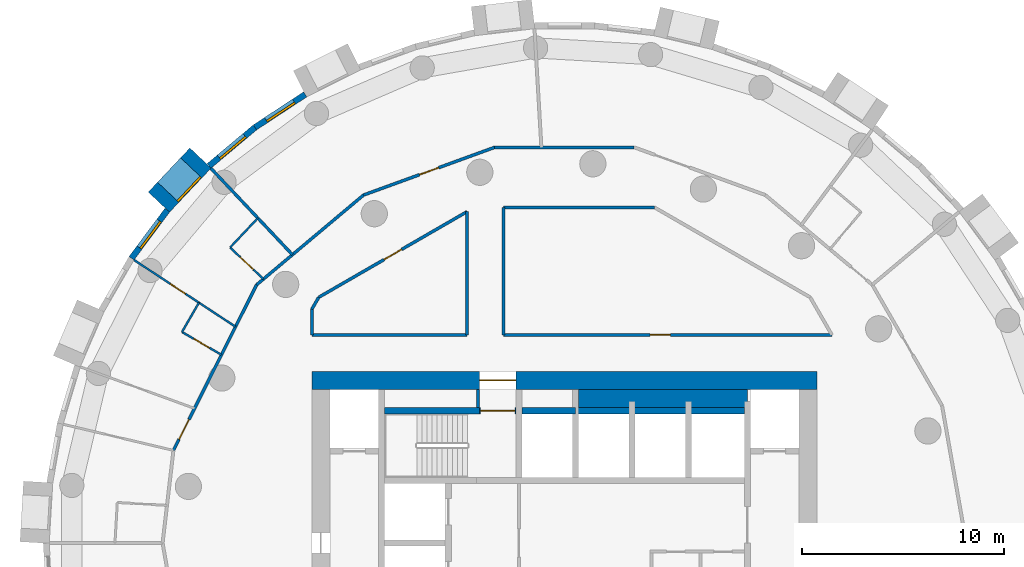
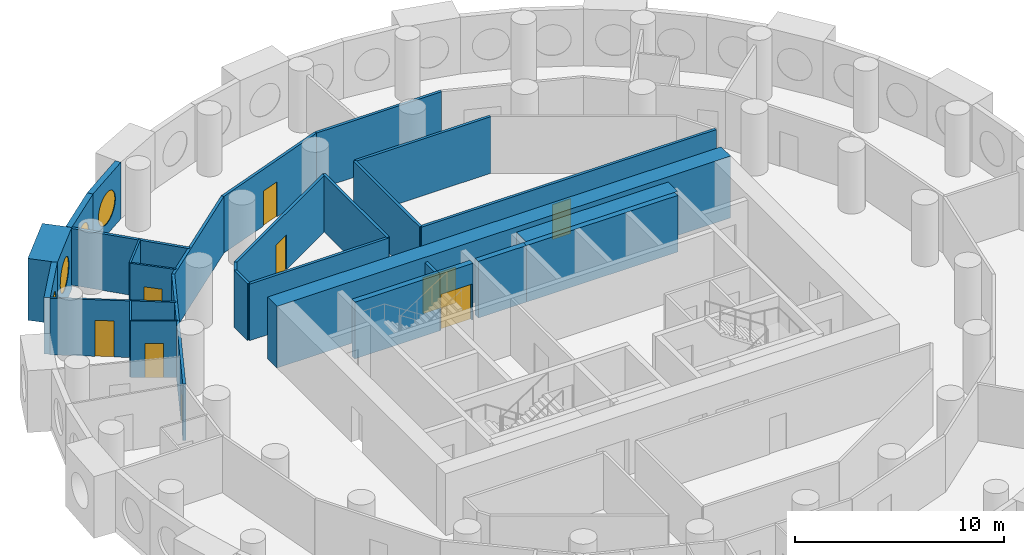
# One storey, part 6 of 9: 30 walls, 9 doors, 4 windows, 13 openings.
"""IFC4 building model written with IfcOpenShell, lengths in metres."""

import ifcopenshell
import ifcopenshell.guid

model = None  # the IFC model being written
_history = None  # IfcOwnerHistory: only IFC2X3 demands one
_inside = {}  # id of a spatial element -> (the spatial element, [elements in it])
_under = {}  # id of a project, library or spatial element -> (it, [spatial elements below it])
_declared = {}  # id of a project -> (the project, [libraries it declares])
_typed = {}  # id of a type object -> (the type object, [elements of that type])
_made_of = {}  # id of a material, layer set ... -> (it, [elements and type objects made of it])


def new_model(schema):
    """Start an empty IFC model of exactly this schema.

    Asked for "IFC4X3", IfcOpenShell would pick the latest addendum, in which some entities
    have other attributes; the version numbers below select the first issue.
    IFC2X3 requires an IfcOwnerHistory on every rooted entity: one is made here for all.
    """
    global model, _history
    if schema == "IFC4X3":
        model = ifcopenshell.file(schema_version=(4, 3, 0, 0))
    else:
        model = ifcopenshell.file(schema=schema)
    _inside.clear()
    _under.clear()
    _declared.clear()
    _typed.clear()
    _made_of.clear()
    _history = None
    if model.schema == "IFC2X3":
        org = make("IfcOrganization", Name="unknown")
        user = make(
            "IfcPersonAndOrganization",
            ThePerson=make("IfcPerson", FamilyName="unknown"),
            TheOrganization=org,
        )
        app = make(
            "IfcApplication",
            ApplicationDeveloper=org,
            Version="unknown",
            ApplicationFullName="unknown",
            ApplicationIdentifier="unknown",
        )
        _history = make(
            "IfcOwnerHistory",
            OwningUser=user,
            OwningApplication=app,
            ChangeAction="ADDED",
            CreationDate=0,
        )
    return model


def make(cls, **values):
    """One entity of the class cls with the attributes given. An attribute that is None is left unset."""
    return model.create_entity(
        cls, **{name: value for name, value in values.items() if value is not None}
    )


def rooted(cls, **values):
    """An entity with a GlobalId (a new one), such as an element, a storey or a relation."""
    return make(cls, GlobalId=ifcopenshell.guid.new(), OwnerHistory=_history, **values)


def si_unit(unit_type, name, prefix=None):
    """IfcSIUnit, for example si_unit("LENGTHUNIT", "METRE", prefix="MILLI")."""
    return make("IfcSIUnit", UnitType=unit_type, Prefix=prefix, Name=name)


def assignment(units):
    """IfcUnitAssignment: the units of a project."""
    return None if units is None else make("IfcUnitAssignment", Units=units)


def point(xyz):
    """IfcCartesianPoint."""
    return None if xyz is None else make("IfcCartesianPoint", Coordinates=xyz)


def direction(xyz):
    """IfcDirection."""
    return None if xyz is None else make("IfcDirection", DirectionRatios=xyz)


def frame(location, z_axis=None, x_axis=None):
    """IfcAxis2Placement3D, a coordinate frame: its origin and axes. An axis left out is left unset."""
    return make(
        "IfcAxis2Placement3D",
        Location=point(location),
        Axis=direction(z_axis),
        RefDirection=direction(x_axis),
    )


def frame_2d(location, x_axis=None):
    """IfcAxis2Placement2D, a coordinate frame in the plane: its origin and x axis."""
    return make(
        "IfcAxis2Placement2D", Location=point(location), RefDirection=direction(x_axis)
    )


def origin():
    """The frame at (0, 0, 0) with its axes left unset."""
    return frame((0.0, 0.0, 0.0))


def origin_2d():
    """The frame at (0, 0) in the plane with its x axis left unset."""
    return frame_2d((0.0, 0.0))


def place(relative_to, where):
    """IfcLocalPlacement: puts the frame where relative to a parent placement (None: the world)."""
    return make(
        "IfcLocalPlacement", PlacementRelTo=relative_to, RelativePlacement=where
    )


def context(
    kind, dimensions, precision=None, world=None, true_north=None, identifier=None
):
    """IfcGeometricRepresentationContext, for example the 3D "Model" context."""
    return make(
        "IfcGeometricRepresentationContext",
        ContextIdentifier=identifier,
        ContextType=kind,
        CoordinateSpaceDimension=dimensions,
        Precision=precision,
        WorldCoordinateSystem=world,
        TrueNorth=true_north,
    )


def subcontext(parent, identifier, kind, view, scale=None):
    """IfcGeometricRepresentationSubContext, for example "Body" below "Model"."""
    return make(
        "IfcGeometricRepresentationSubContext",
        ContextIdentifier=identifier,
        ContextType=kind,
        ParentContext=parent,
        TargetScale=scale,
        TargetView=view,
    )


def project(units=None, contexts=None):
    """IfcProject with its units and contexts."""
    return rooted(
        "IfcProject",
        Name="project",
        RepresentationContexts=contexts,
        UnitsInContext=assignment(units),
    )


def spatial(cls, under=None, at=None, **own):
    """A site, building, storey or space (cls), placed at a placement, below another one or the project."""
    s = rooted(cls, ObjectPlacement=at, **own)
    if under is not None:
        _under.setdefault(under.id(), (under, []))[1].append(s)
    return s


def profile(cls, at=None, kind="AREA", **sizes):
    """A parametric profile (cls). Its sizes go by their IFC names, for example OverallWidth=200.0."""
    return make(cls, ProfileType=kind, Position=at, **sizes)


def rectangle(**sizes):
    """IfcRectangleProfileDef."""
    return profile("IfcRectangleProfileDef", **sizes)


def circle(**sizes):
    """IfcCircleProfileDef."""
    return profile("IfcCircleProfileDef", **sizes)


def extrude(swept, where, along, depth):
    """IfcExtrudedAreaSolid: the profile swept, set in the frame where, extruded along a direction by depth."""
    return make(
        "IfcExtrudedAreaSolid",
        SweptArea=swept,
        Position=where,
        ExtrudedDirection=direction(along),
        Depth=depth,
    )


def shape(context_of_items, identifier, shape_type, items):
    """IfcShapeRepresentation: the items that make up one representation, for example the "Body"."""
    return make(
        "IfcShapeRepresentation",
        ContextOfItems=context_of_items,
        RepresentationIdentifier=identifier,
        RepresentationType=shape_type,
        Items=items,
    )


def material(Name=None, Category=None):
    """IfcMaterial."""
    return make("IfcMaterial", Name=Name, Category=Category)


def layer(
    of_material, thickness, ventilated=None, Name=None, Category=None, Priority=None
):
    """IfcMaterialLayer: one layer of a wall or slab, of a material (None: an air gap)."""
    return make(
        "IfcMaterialLayer",
        Material=of_material,
        LayerThickness=thickness,
        IsVentilated=ventilated,
        Name=Name,
        Category=Category,
        Priority=Priority,
    )


def layer_set(layers, Name=None):
    """IfcMaterialLayerSet."""
    return make("IfcMaterialLayerSet", MaterialLayers=layers, LayerSetName=Name)


def made_of(thing, what):
    """Note that an element or type object is made of a material, layer set ...; save() writes the relation."""
    if what is not None:
        _made_of.setdefault(what.id(), (what, []))[1].append(thing)
    return thing


def type_object(cls, material=None, **own):
    """A type object (cls), such as IfcWallType, which elements share."""
    return made_of(rooted(cls, **own), material)


def element(
    cls,
    number,
    at=None,
    inside=None,
    cuts=None,
    type_object=None,
    material=None,
    context=None,
    identifier="Body",
    shape_type=None,
    held_by="IfcProductDefinitionShape",
    body=None,
    shapes=None,
    **own,
):
    """One element of the class cls, such as IfcWall. Its Tag is "e" and its number.

    at: its placement. inside: the storey or other place that contains it. cuts: it is an
    opening in that element (IfcRelVoidsElement). A single representation is given by context,
    identifier, shape_type and body (its items); several are given by shapes. held_by: the class
    of the entity that holds the representations. save() writes the other relations.
    """
    e = rooted(cls, Tag="e%d" % number, ObjectPlacement=at, **own)
    if body is not None:
        shapes = [shape(context, identifier, shape_type, body)]
    if shapes is not None:
        e.Representation = make(held_by, Representations=shapes)
    if inside is not None:
        _inside.setdefault(inside.id(), (inside, []))[1].append(e)
    if cuts is not None:
        rooted(
            "IfcRelVoidsElement", RelatingBuildingElement=cuts, RelatedOpeningElement=e
        )
    if type_object is not None:
        _typed.setdefault(type_object.id(), (type_object, []))[1].append(e)
    return made_of(e, material)


def fill(opening, filler):
    """IfcRelFillsElement: the door or window that sits in an opening."""
    return rooted(
        "IfcRelFillsElement",
        RelatingOpeningElement=opening,
        RelatedBuildingElement=filler,
    )


def aggregate(whole, parts):
    """IfcRelAggregates: a whole, such as a stair, and the parts it consists of."""
    return rooted("IfcRelAggregates", RelatingObject=whole, RelatedObjects=parts)


def save(model, path):
    """Write the relations noted so far, then the file.

    IfcRelAggregates (storeys below a building ...), IfcRelContainedInSpatialStructure (elements
    in a storey), IfcRelDefinesByType, IfcRelAssociatesMaterial and IfcRelDeclares: one each for
    every whole, place, type object, material and project.
    """
    for whole, parts in _under.values():
        aggregate(whole, parts)
    for where, things in _inside.values():
        rooted(
            "IfcRelContainedInSpatialStructure",
            RelatedElements=things,
            RelatingStructure=where,
        )
    for kind, things in _typed.values():
        rooted("IfcRelDefinesByType", RelatedObjects=things, RelatingType=kind)
    for what, things in _made_of.values():
        rooted("IfcRelAssociatesMaterial", RelatedObjects=things, RelatingMaterial=what)
    for by, libraries in _declared.values():
        rooted("IfcRelDeclares", RelatingContext=by, RelatedDefinitions=libraries)
    model.write(path)


model = new_model("IFC4")

# Units and contexts
model_context = context("Model", 3, precision=1e-05, world=origin(), true_north=direction((0.0, 1.0)))
body_context = subcontext(model_context, "Body", "Model", "MODEL_VIEW")
ifc_project = project(units=[si_unit("LENGTHUNIT", "METRE"), si_unit("AREAUNIT", "SQUARE_METRE"), si_unit("VOLUMEUNIT", "CUBIC_METRE"), si_unit("PLANEANGLEUNIT", "RADIAN"), si_unit("MASSUNIT", "GRAM", prefix="KILO")], contexts=[model_context])

# Site, building, storey
site_placement = place(None, origin())
site = spatial("IfcSite", under=ifc_project, at=site_placement, CompositionType="ELEMENT")
building_placement = place(site_placement, origin())
building = spatial("IfcBuilding", under=site, at=building_placement, Name="Tracery Tower", CompositionType="ELEMENT")
storey_placement = place(building_placement, frame((0.0, 0.0, 187.199951171875)))
storey = spatial("IfcBuildingStorey", under=building, at=storey_placement, Name="L48", CompositionType="ELEMENT", Elevation=187.199951171875)

# Walls
ifc_material_1 = material(Name="Plasterboard on steel studs", Category="steel")
ifc_layer_1 = layer(ifc_material_1, 0.14990234375)
ifc_layer_set_1 = layer_set([ifc_layer_1], Name="Core room partition 150")
wall_type_1 = type_object("IfcWallType", Name="Core room partition 150", PredefinedType="SOLIDWALL", material=ifc_layer_set_1)
wall_1_placement = place(storey_placement, frame((-4.27490234375, 6.699951171875, 0.0), z_axis=(0.0, 0.0, 1.0), x_axis=(0.0, 1.0, 0.0)))
element("IfcWall", 1, at=wall_1_placement, inside=storey, type_object=wall_type_1, Name="L48 F N room", PredefinedType="SOLIDWALL", context=body_context, shape_type="SweptSolid", body=[
    extrude(rectangle(XDim=0.900146484375, YDim=0.14990234375, at=frame_2d((0.4501953125, 0.0))), origin(), (0.0, 0.0, 1.0), 3.300048828125),
])
ifc_material_2 = material(Name="Concrete C50/60", Category="concrete")
ifc_layer_2 = layer(ifc_material_2, 0.89990234375)
ifc_layer_set_2 = layer_set([ifc_layer_2], Name="Core strip wall 900 C50")
wall_type_2 = type_object("IfcWallType", Name="Core strip wall 900 C50", PredefinedType="SOLIDWALL", material=ifc_layer_set_2)
wall_2_placement = place(storey_placement, frame((0.699951171875, 7.14990234375, 0.0), z_axis=(0.0, 0.0, 1.0), x_axis=(1.0, 0.0, 0.0)))
element("IfcWall", 2, at=wall_2_placement, inside=storey, type_object=wall_type_2, Name="L48 F thick N E", PredefinedType="SOLIDWALL", context=body_context, shape_type="SweptSolid", body=[
    extrude(rectangle(XDim=8.35009765625, YDim=0.89990234375, at=frame_2d((4.175048828125, 0.0))), origin(), (0.0, 0.0, 1.0), 3.300048828125),
])

# Wall, opening, door
ifc_material_3 = material(Name="Concrete C50/60", Category="concrete")
ifc_layer_3 = layer(ifc_material_3, 0.89990234375)
ifc_layer_set_3 = layer_set([ifc_layer_3], Name="Core wall 900 C50")
wall_type_3 = type_object("IfcWallType", Name="Core wall 900 C50", PredefinedType="SOLIDWALL", material=ifc_layer_set_3)
wall_3_placement = place(storey_placement, frame((-12.5, 8.050048828125, 0.0), z_axis=(0.0, 0.0, 1.0), x_axis=(1.0, 0.0, 0.0)))
wall_3 = element("IfcWall", 3, at=wall_3_placement, inside=storey, type_object=wall_type_3, Name="L48 outer N", PredefinedType="SOLIDWALL", context=body_context, shape_type="SweptSolid", body=[
    extrude(rectangle(XDim=25.0, YDim=0.89990234375, at=frame_2d((12.5, 0.0))), origin(), (0.0, 0.0, 1.0), 3.60009765625),
])
opening_1_placement = place(wall_3_placement, frame((8.300048828125, 0.0, 0.0)))
opening_1 = element("IfcOpeningElement", 4, at=opening_1_placement, cuts=wall_3, Name="Opening KD13", PredefinedType="OPENING", context=body_context, shape_type="SweptSolid", body=[
    extrude(rectangle(XDim=1.800048828125, YDim=2.10009765625, at=frame_2d((0.89990234375, 1.050048828125))), frame((0.0, 0.449951171875, 0.0), z_axis=(0.0, -1.0, 0.0), x_axis=(1.0, 0.0, 0.0)), (0.0, 0.0, 1.0), 0.89990234375),
])
ifc_material_4 = material(Name="Steel fire door", Category="steel")
door_type_1 = type_object("IfcDoorType", Name="Core exit door 1800 double", OperationType="NOTDEFINED", PredefinedType="DOOR", material=ifc_material_4)
door_1_placement = place(opening_1_placement, origin())
door_1 = element("IfcDoor", 5, at=door_1_placement, inside=storey, type_object=door_type_1, Name="Core exit door", OperationType="DOUBLE_DOOR_SINGLE_SWING", OverallHeight=2.10009765625, OverallWidth=1.800048828125, PredefinedType="DOOR", context=body_context, shape_type="SweptSolid", body=[
    extrude(rectangle(XDim=1.800048828125, YDim=2.10009765625, at=frame_2d((0.89990234375, 1.050048828125))), frame((0.0, 0.02490234375, 0.0), z_axis=(0.0, -1.0, 0.0), x_axis=(1.0, 0.0, 0.0)), (0.0, 0.0, 1.0), 0.050048828125),
])
fill(opening_1, door_1)

# Wall, opening, window
ifc_material_5 = material(Name="Precast concrete C50/60", Category="concrete")
ifc_layer_4 = layer(ifc_material_5, 1.449951171875)
ifc_layer_set_4 = layer_set([ifc_layer_4], Name="Deep-set bay unit 3000 x 3600, slab edge 300")
wall_type_4 = type_object("IfcWallType", Name="Deep-set bay unit 3000 x 3600, slab edge 300", PredefinedType="ELEMENTEDWALL", material=ifc_layer_set_4)
wall_4_placement = place(storey_placement, frame((-18.0126953125, 19.05615234375, -0.300048828125), z_axis=(0.0, 0.0, 1.0), x_axis=(-0.686217177108, -0.727396718334, 0.0)))
wall_4 = element("IfcWall", 6, at=wall_4_placement, inside=storey, type_object=wall_type_4, Name="Deep-set bay unit 21 at L48", PredefinedType="ELEMENTEDWALL", context=body_context, shape_type="SweptSolid", body=[
    extrude(rectangle(XDim=3.0, YDim=1.449951171875, at=frame_2d((1.5, 0.0))), origin(), (0.0, 0.0, 1.0), 3.60009765625),
])
opening_2_placement = place(wall_4_placement, frame((1.5, 0.0, 1.85009765625)))
opening_2 = element("IfcOpeningElement", 7, at=opening_2_placement, cuts=wall_4, Name="Opening WN1", PredefinedType="OPENING", context=body_context, shape_type="SweptSolid", body=[
    extrude(circle(Radius=0.9000244140625, at=origin_2d()), frame((0.0, 0.73486328125, 0.0), z_axis=(0.0, -1.0, 0.0), x_axis=(1.0, 0.0, 0.0)), (0.0, 0.0, 1.0), 1.469970703125),
])
ifc_material_6 = material(Name="Aluminium frame with tinted double glazing", Category="aluminium")
window_type = type_object("IfcWindowType", Name="Round window 1800", PartitioningType="SINGLE_PANEL", PredefinedType="WINDOW", material=ifc_material_6)
window_1_placement = place(opening_2_placement, origin())
window_1 = element("IfcWindow", 8, at=window_1_placement, inside=storey, type_object=window_type, Name="Round window 21 at L48", OverallHeight=1.800048828125, OverallWidth=1.800048828125, PartitioningType="SINGLE_PANEL", PredefinedType="WINDOW", context=body_context, shape_type="SweptSolid", body=[
    extrude(circle(Radius=0.9000244140625, at=origin_2d()), frame((0.0, 0.69482421875, 0.0), z_axis=(0.0, -1.0, 0.0), x_axis=(1.0, 0.0, 0.0)), (0.0, 0.0, 1.0), 0.10009765625),
])
fill(opening_2, window_1)

ifc_material_7 = material(Name="Precast concrete C50/60", Category="concrete")
ifc_layer_5 = layer(ifc_material_7, 0.300048828125)
ifc_layer_set_5 = layer_set([ifc_layer_5], Name="Facade panel 3000 x 3300")
wall_type_5 = type_object("IfcWallType", Name="Facade panel 3000 x 3300", PredefinedType="SOLIDWALL", material=ifc_layer_set_5)
wall_5_placement = place(storey_placement, frame((-12.831787109375, 22.2060546875, 0.0), z_axis=(0.0, 0.0, 1.0), x_axis=(-0.835508361394, -0.54947773207, 0.0)))
wall_5 = element("IfcWall", 9, at=wall_5_placement, inside=storey, type_object=wall_type_5, Name="Facade panel 19 at L48", PredefinedType="SOLIDWALL", context=body_context, shape_type="SweptSolid", body=[
    extrude(rectangle(XDim=2.972900390625, YDim=0.300048828125, at=frame_2d((1.486328125, 0.0))), origin(), (0.0, 0.0, 1.0), 3.300048828125),
])
opening_3_placement = place(wall_5_placement, frame((1.486328125, 0.0, 1.5498046875)))
opening_3 = element("IfcOpeningElement", 10, at=opening_3_placement, cuts=wall_5, Name="Opening WN1", PredefinedType="OPENING", context=body_context, shape_type="SweptSolid", body=[
    extrude(circle(Radius=0.9000244140625, at=origin_2d()), frame((0.0, 0.159912109375, 0.0), z_axis=(0.0, -1.0, 0.0), x_axis=(1.0, 0.0, 0.0)), (0.0, 0.0, 1.0), 0.320068359375),
])
window_2_placement = place(opening_3_placement, origin())
window_2 = element("IfcWindow", 11, at=window_2_placement, inside=storey, type_object=window_type, Name="Round window 19 at L48", OverallHeight=1.800048828125, OverallWidth=1.800048828125, PartitioningType="SINGLE_PANEL", PredefinedType="WINDOW", context=body_context, shape_type="SweptSolid", body=[
    extrude(circle(Radius=0.9000244140625, at=origin_2d()), frame((0.0, 0.1201171875, 0.0), z_axis=(0.0, -1.0, 0.0), x_axis=(1.0, 0.0, 0.0)), (0.0, 0.0, 1.0), 0.10009765625),
])
fill(opening_3, window_2)

wall_6_placement = place(storey_placement, frame((-15.315673828125, 20.572509765625, 0.0), z_axis=(0.0, 0.0, 1.0), x_axis=(-0.766008913364, -0.642829950023, 0.0)))
wall_6 = element("IfcWall", 12, at=wall_6_placement, inside=storey, type_object=wall_type_5, Name="Facade panel 20 at L48", PredefinedType="SOLIDWALL", context=body_context, shape_type="SweptSolid", body=[
    extrude(rectangle(XDim=2.972900390625, YDim=0.300048828125, at=frame_2d((1.486328125, 0.0))), origin(), (0.0, 0.0, 1.0), 3.300048828125),
])
opening_4_placement = place(wall_6_placement, frame((1.486328125, 0.0, 1.5498046875)))
opening_4 = element("IfcOpeningElement", 13, at=opening_4_placement, cuts=wall_6, Name="Opening WN1", PredefinedType="OPENING", context=body_context, shape_type="SweptSolid", body=[
    extrude(circle(Radius=0.9000244140625, at=origin_2d()), frame((0.0, 0.159912109375, 0.0), z_axis=(0.0, -1.0, 0.0), x_axis=(1.0, 0.0, 0.0)), (0.0, 0.0, 1.0), 0.320068359375),
])
window_3_placement = place(opening_4_placement, origin())
window_3 = element("IfcWindow", 14, at=window_3_placement, inside=storey, type_object=window_type, Name="Round window 20 at L48", OverallHeight=1.800048828125, OverallWidth=1.800048828125, PartitioningType="SINGLE_PANEL", PredefinedType="WINDOW", context=body_context, shape_type="SweptSolid", body=[
    extrude(circle(Radius=0.9000244140625, at=origin_2d()), frame((0.0, 0.1201171875, 0.0), z_axis=(0.0, -1.0, 0.0), x_axis=(1.0, 0.0, 0.0)), (0.0, 0.0, 1.0), 0.10009765625),
])
fill(opening_4, window_3)

wall_7_placement = place(storey_placement, frame((-19.65283203125, 16.47802734375, 0.0), z_axis=(0.0, 0.0, 1.0), x_axis=(-0.597197580538, -0.80209416517, 0.0)))
wall_7 = element("IfcWall", 15, at=wall_7_placement, inside=storey, type_object=wall_type_5, Name="Facade panel 22 at L48", PredefinedType="SOLIDWALL", context=body_context, shape_type="SweptSolid", body=[
    extrude(rectangle(XDim=2.972900390625, YDim=0.300048828125, at=frame_2d((1.486328125, 0.0))), origin(), (0.0, 0.0, 1.0), 3.300048828125),
])
opening_5_placement = place(wall_7_placement, frame((1.486328125, 0.0, 1.5498046875)))
opening_5 = element("IfcOpeningElement", 16, at=opening_5_placement, cuts=wall_7, Name="Opening WN1", PredefinedType="OPENING", context=body_context, shape_type="SweptSolid", body=[
    extrude(circle(Radius=0.9000244140625, at=origin_2d()), frame((0.0, 0.159912109375, 0.0), z_axis=(0.0, -1.0, 0.0), x_axis=(1.0, 0.0, 0.0)), (0.0, 0.0, 1.0), 0.320068359375),
])
window_4_placement = place(opening_5_placement, origin())
window_4 = element("IfcWindow", 17, at=window_4_placement, inside=storey, type_object=window_type, Name="Round window 22 at L48", OverallHeight=1.800048828125, OverallWidth=1.800048828125, PartitioningType="SINGLE_PANEL", PredefinedType="WINDOW", context=body_context, shape_type="SweptSolid", body=[
    extrude(circle(Radius=0.9000244140625, at=origin_2d()), frame((0.0, 0.1201171875, 0.0), z_axis=(0.0, -1.0, 0.0), x_axis=(1.0, 0.0, 0.0)), (0.0, 0.0, 1.0), 0.10009765625),
])
fill(opening_5, window_4)

# Wall, opening, door
ifc_material_8 = material(Name="Plasterboard on steel studs", Category="steel")
ifc_layer_6 = layer(ifc_material_8, 0.10009765625)
ifc_layer_set_6 = layer_set([ifc_layer_6], Name="Partition 100 stud")
wall_type_6 = type_object("IfcWallType", Name="Partition 100 stud", PredefinedType="PARTITIONING", material=ifc_layer_set_6)
wall_8_placement = place(storey_placement, frame((-21.302978515625, 14.010986328125, 0.0), z_axis=(0.0, 0.0, 1.0), x_axis=(0.835501457061, -0.549488230309, 0.0)))
wall_8 = element("IfcWall", 18, at=wall_8_placement, inside=storey, type_object=wall_type_6, Name="Stud partition RB6-049", PredefinedType="PARTITIONING", context=body_context, shape_type="SweptSolid", body=[
    extrude(rectangle(XDim=3.845458984375, YDim=0.10009765625, at=frame_2d((1.9228515625, 0.0))), origin(), (0.0, 0.0, 1.0), 3.300048828125),
])
opening_6_placement = place(wall_8_placement, frame((2.14990234375, 0.0, 0.0)))
opening_6 = element("IfcOpeningElement", 19, at=opening_6_placement, cuts=wall_8, Name="Opening RB6-13", PredefinedType="OPENING", context=body_context, shape_type="SweptSolid", body=[
    extrude(rectangle(XDim=0.89990234375, YDim=2.10009765625, at=frame_2d((0.449951171875, 1.050048828125))), frame((0.0, 0.050048828125, 0.0), z_axis=(0.0, -1.0, 0.0), x_axis=(1.0, 0.0, 0.0)), (0.0, 0.0, 1.0), 0.10009765625),
])
ifc_material_9 = material(Name="Timber door leaf", Category="wood")
door_type_2 = type_object("IfcDoorType", Name="Door bedroom 900", OperationType="NOTDEFINED", PredefinedType="DOOR", material=ifc_material_9)
door_2_placement = place(opening_6_placement, origin())
door_2 = element("IfcDoor", 20, at=door_2_placement, inside=storey, type_object=door_type_2, Name="Bedroom door RB6-13", OperationType="SINGLE_SWING_RIGHT", OverallHeight=2.10009765625, OverallWidth=0.89990234375, PredefinedType="DOOR", context=body_context, shape_type="SweptSolid", body=[
    extrude(rectangle(XDim=0.89990234375, YDim=2.10009765625, at=frame_2d((0.449951171875, 1.050048828125))), frame((0.0, 0.02490234375, 0.0), z_axis=(0.0, -1.0, 0.0), x_axis=(1.0, 0.0, 0.0)), (0.0, 0.0, 1.0), 0.050048828125),
])
fill(opening_6, door_2)

# Wall
ifc_material_10 = material(Name="Plasterboard on steel studs", Category="steel")
ifc_layer_7 = layer(ifc_material_10, 0.10009765625)
ifc_layer_set_7 = layer_set([ifc_layer_7], Name="Partition 100 wet wall")
wall_type_7 = type_object("IfcWallType", Name="Partition 100 wet wall", PredefinedType="PARTITIONING", material=ifc_layer_set_7)
wall_9_placement = place(storey_placement, frame((-18.927978515625, 10.446044921875, 0.0), z_axis=(0.0, 0.0, 1.0), x_axis=(0.499835922194, 0.866120113428, 0.0)))
element("IfcWall", 21, at=wall_9_placement, inside=storey, type_object=wall_type_7, Name="Wet wall RB6-047", PredefinedType="PARTITIONING", context=body_context, shape_type="SweptSolid", body=[
    extrude(rectangle(XDim=1.67626953125, YDim=0.10009765625, at=frame_2d((0.838134765625, 0.0))), origin(), (0.0, 0.0, 1.0), 3.300048828125),
])

# Wall, opening, door
wall_10_placement = place(storey_placement, frame((-18.927978515625, 10.446044921875, 0.0), z_axis=(0.0, 0.0, 1.0), x_axis=(0.865942177038, -0.500144125255, 0.0)))
wall_10 = element("IfcWall", 22, at=wall_10_placement, inside=storey, type_object=wall_type_7, Name="Wet wall RB6-048", PredefinedType="PARTITIONING", context=body_context, shape_type="SweptSolid", body=[
    extrude(rectangle(XDim=2.255126953125, YDim=0.10009765625, at=frame_2d((1.12744140625, 0.0))), origin(), (0.0, 0.0, 1.0), 3.300048828125),
])
opening_7_placement = place(wall_10_placement, frame((0.677978515625, 0.0, 0.0)))
opening_7 = element("IfcOpeningElement", 23, at=opening_7_placement, cuts=wall_10, Name="Opening RB6-12", PredefinedType="OPENING", context=body_context, shape_type="SweptSolid", body=[
    extrude(rectangle(XDim=0.89990234375, YDim=2.0, at=frame_2d((0.449951171875, 1.0))), frame((0.0, 0.050048828125, 0.0), z_axis=(0.0, -1.0, 0.0), x_axis=(1.0, 0.0, 0.0)), (0.0, 0.0, 1.0), 0.10009765625),
])
ifc_material_11 = material(Name="Timber door leaf", Category="wood")
door_type_3 = type_object("IfcDoorType", Name="Door shower room 900", OperationType="NOTDEFINED", PredefinedType="DOOR", material=ifc_material_11)
door_3_placement = place(opening_7_placement, origin())
door_3 = element("IfcDoor", 24, at=door_3_placement, inside=storey, type_object=door_type_3, Name="Shower room door RB6-12", OperationType="SINGLE_SWING_RIGHT", OverallHeight=2.0, OverallWidth=0.89990234375, PredefinedType="DOOR", context=body_context, shape_type="SweptSolid", body=[
    extrude(rectangle(XDim=0.89990234375, YDim=2.0, at=frame_2d((0.449951171875, 1.0))), frame((0.0, 0.02490234375, 0.0), z_axis=(0.0, -1.0, 0.0), x_axis=(1.0, 0.0, 0.0)), (0.0, 0.0, 1.0), 0.050048828125),
])
fill(opening_7, door_3)

# Walls
wall_11_placement = place(storey_placement, frame((-18.090087890625, 11.89794921875, 0.0), z_axis=(0.0, 0.0, 1.0), x_axis=(0.835463324296, -0.549546207116, 0.0)))
element("IfcWall", 25, at=wall_11_placement, inside=storey, type_object=wall_type_7, Name="Wet wall RB6-051", PredefinedType="PARTITIONING", context=body_context, shape_type="SweptSolid", body=[
    extrude(rectangle(XDim=2.1689453125, YDim=0.10009765625, at=frame_2d((1.08447265625, 0.0))), origin(), (0.0, 0.0, 1.0), 3.300048828125),
])
wall_12_placement = place(storey_placement, frame((-16.549072265625, 14.6259765625, 0.0), z_axis=(0.0, 0.0, 1.0), x_axis=(0.686337209023, 0.727283462971, 0.0)))
element("IfcWall", 26, at=wall_12_placement, inside=storey, type_object=wall_type_7, Name="Wet wall RB6-052", PredefinedType="PARTITIONING", context=body_context, shape_type="SweptSolid", body=[
    extrude(rectangle(XDim=2.00341796875, YDim=0.10009765625, at=frame_2d((1.001708984375, 0.0))), origin(), (0.0, 0.0, 1.0), 3.300048828125),
])

# Wall, opening, door
wall_13_placement = place(storey_placement, frame((-16.549072265625, 14.6259765625, 0.0), z_axis=(0.0, 0.0, 1.0), x_axis=(0.727754926423, -0.68583727448, 0.0)))
wall_13 = element("IfcWall", 27, at=wall_13_placement, inside=storey, type_object=wall_type_7, Name="Wet wall RB6-053", PredefinedType="PARTITIONING", context=body_context, shape_type="SweptSolid", body=[
    extrude(rectangle(XDim=2.271484375, YDim=0.10009765625, at=frame_2d((1.1357421875, 0.0))), origin(), (0.0, 0.0, 1.0), 3.300048828125),
])
opening_8_placement = place(wall_13_placement, frame((0.68603515625, 0.0, 0.0)))
opening_8 = element("IfcOpeningElement", 28, at=opening_8_placement, cuts=wall_13, Name="Opening RB6-14", PredefinedType="OPENING", context=body_context, shape_type="SweptSolid", body=[
    extrude(rectangle(XDim=0.89990234375, YDim=2.0400390625, at=frame_2d((0.449951171875, 1.02001953125))), frame((0.0, 0.050048828125, 0.0), z_axis=(0.0, -1.0, 0.0), x_axis=(1.0, 0.0, 0.0)), (0.0, 0.0, 1.0), 0.10009765625),
])
ifc_material_12 = material(Name="Timber door leaf", Category="wood")
door_type_4 = type_object("IfcDoorType", Name="Door en-suite 900", OperationType="NOTDEFINED", PredefinedType="DOOR", material=ifc_material_12)
door_4_placement = place(opening_8_placement, origin())
door_4 = element("IfcDoor", 29, at=door_4_placement, inside=storey, type_object=door_type_4, Name="En-suite door RB6-14", OperationType="SINGLE_SWING_RIGHT", OverallHeight=2.0400390625, OverallWidth=0.89990234375, PredefinedType="DOOR", context=body_context, shape_type="SweptSolid", body=[
    extrude(rectangle(XDim=0.89990234375, YDim=2.0400390625, at=frame_2d((0.449951171875, 1.02001953125))), frame((0.0, 0.02490234375, 0.0), z_axis=(0.0, -1.0, 0.0), x_axis=(1.0, 0.0, 0.0)), (0.0, 0.0, 1.0), 0.050048828125),
])
fill(opening_8, door_4)

# Walls
ifc_material_13 = material(Name="Plasterboard on steel studs", Category="steel")
ifc_layer_8 = layer(ifc_material_13, 0.14990234375)
ifc_layer_set_8 = layer_set([ifc_layer_8], Name="Partition 150 acoustic unit wall")
wall_type_8 = type_object("IfcWallType", Name="Partition 150 acoustic unit wall", PredefinedType="PARTITIONING", material=ifc_layer_set_8)
wall_14_placement = place(storey_placement, frame((-17.4970703125, 18.5458984375, 0.0), z_axis=(0.0, 0.0, 1.0), x_axis=(0.68633567779, -0.727284907991, 0.0)))
element("IfcWall", 30, at=wall_14_placement, inside=storey, type_object=wall_type_8, Name="Unit wall RB6-045", PredefinedType="PARTITIONING", context=body_context, shape_type="SweptSolid", body=[
    extrude(rectangle(XDim=5.878662109375, YDim=0.14990234375, at=frame_2d((2.939453125, 0.0))), origin(), (0.0, 0.0, 1.0), 3.300048828125),
])
ifc_material_14 = material(Name="Plasterboard on steel studs", Category="steel")
ifc_layer_9 = layer(ifc_material_14, 0.14990234375)
ifc_layer_set_9 = layer_set([ifc_layer_9], Name="Partition 150 corridor wall")
wall_type_9 = type_object("IfcWallType", Name="Partition 150 corridor wall", PredefinedType="PARTITIONING", material=ifc_layer_set_9)
wall_15_placement = place(storey_placement, frame((-12.50390625, 10.300048828125, 0.0), z_axis=(0.0, 0.0, 1.0), x_axis=(1.0, 0.0, 0.0)))
element("IfcWall", 31, at=wall_15_placement, inside=storey, type_object=wall_type_9, Name="Corridor wall RB6-001", PredefinedType="PARTITIONING", context=body_context, shape_type="SweptSolid", body=[
    extrude(rectangle(XDim=7.68701171875, YDim=0.14990234375, at=frame_2d((3.843505859375, 0.0))), origin(), (0.0, 0.0, 1.0), 3.300048828125),
])

# Wall, opening, door
wall_16_placement = place(storey_placement, frame((-3.02490234375, 10.300048828125, 0.0), z_axis=(0.0, 0.0, 1.0), x_axis=(1.0, 0.0, 0.0)))
wall_16 = element("IfcWall", 32, at=wall_16_placement, inside=storey, type_object=wall_type_9, Name="Corridor wall RB6-002", PredefinedType="PARTITIONING", context=body_context, shape_type="SweptSolid", body=[
    extrude(rectangle(XDim=16.261962890625, YDim=0.14990234375, at=frame_2d((8.130859375, 0.0))), origin(), (0.0, 0.0, 1.0), 3.300048828125),
])
opening_9_placement = place(wall_16_placement, frame((7.262939453125, 0.0, 0.0)))
opening_9 = element("IfcOpeningElement", 33, at=opening_9_placement, cuts=wall_16, Name="Opening RB6-02", PredefinedType="OPENING", context=body_context, shape_type="SweptSolid", body=[
    extrude(rectangle(XDim=1.0, YDim=2.0400390625, at=frame_2d((0.5, 1.02001953125))), frame((0.0, 0.074951171875, 0.0), z_axis=(0.0, -1.0, 0.0), x_axis=(1.0, 0.0, 0.0)), (0.0, 0.0, 1.0), 0.14990234375),
])
ifc_material_15 = material(Name="Timber door leaf", Category="wood")
door_type_5 = type_object("IfcDoorType", Name="Door communal room 1000", OperationType="NOTDEFINED", PredefinedType="DOOR", material=ifc_material_15)
door_5_placement = place(opening_9_placement, origin())
door_5 = element("IfcDoor", 34, at=door_5_placement, inside=storey, type_object=door_type_5, Name="Communal room door RB6-02", OperationType="SINGLE_SWING_RIGHT", OverallHeight=2.0400390625, OverallWidth=1.0, PredefinedType="DOOR", context=body_context, shape_type="SweptSolid", body=[
    extrude(rectangle(XDim=1.0, YDim=2.0400390625, at=frame_2d((0.5, 1.02001953125))), frame((0.0, 0.02490234375, 0.0), z_axis=(0.0, -1.0, 0.0), x_axis=(1.0, 0.0, 0.0)), (0.0, 0.0, 1.0), 0.050048828125),
])
fill(opening_9, door_5)

# Wall
wall_17_placement = place(storey_placement, frame((-4.821044921875, 10.300048828125, 0.0), z_axis=(0.0, 0.0, 1.0), x_axis=(0.0, 1.0, 0.0)))
element("IfcWall", 35, at=wall_17_placement, inside=storey, type_object=wall_type_9, Name="Corridor wall RB6-013", PredefinedType="PARTITIONING", context=body_context, shape_type="SweptSolid", body=[
    extrude(rectangle(XDim=6.100830078125, YDim=0.14990234375, at=frame_2d((3.05029296875, 0.0))), origin(), (0.0, 0.0, 1.0), 3.300048828125),
])

# Wall, opening, door
wall_18_placement = place(storey_placement, frame((-12.162109375, 12.162109375, 0.0), z_axis=(0.0, 0.0, 1.0), x_axis=(0.866004766557, 0.500035743023, 0.0)))
wall_18 = element("IfcWall", 36, at=wall_18_placement, inside=storey, type_object=wall_type_9, Name="Corridor wall RB6-014", PredefinedType="PARTITIONING", context=body_context, shape_type="SweptSolid", body=[
    extrude(rectangle(XDim=8.47705078125, YDim=0.14990234375, at=frame_2d((4.238525390625, 0.0))), origin(), (0.0, 0.0, 1.0), 3.300048828125),
])
opening_10_placement = place(wall_18_placement, frame((3.739013671875, 0.0, 0.0)))
opening_10 = element("IfcOpeningElement", 37, at=opening_10_placement, cuts=wall_18, Name="Opening RB6-01", PredefinedType="OPENING", context=body_context, shape_type="SweptSolid", body=[
    extrude(rectangle(XDim=1.0, YDim=2.0400390625, at=frame_2d((0.5, 1.02001953125))), frame((0.0, 0.074951171875, 0.0), z_axis=(0.0, -1.0, 0.0), x_axis=(1.0, 0.0, 0.0)), (0.0, 0.0, 1.0), 0.14990234375),
])
door_6_placement = place(opening_10_placement, origin())
door_6 = element("IfcDoor", 38, at=door_6_placement, inside=storey, type_object=door_type_5, Name="Communal room door RB6-01", OperationType="SINGLE_SWING_LEFT", OverallHeight=2.0400390625, OverallWidth=1.0, PredefinedType="DOOR", context=body_context, shape_type="SweptSolid", body=[
    extrude(rectangle(XDim=1.0, YDim=2.0400390625, at=frame_2d((0.5, 1.02001953125))), frame((0.0, 0.02490234375, 0.0), z_axis=(0.0, -1.0, 0.0), x_axis=(1.0, 0.0, 0.0)), (0.0, 0.0, 1.0), 0.050048828125),
])
fill(opening_10, door_6)

# Walls
wall_19_placement = place(storey_placement, frame((-3.02099609375, 16.614013671875, 0.0), z_axis=(0.0, 0.0, 1.0), x_axis=(1.0, 0.0, 0.0)))
element("IfcWall", 39, at=wall_19_placement, inside=storey, type_object=wall_type_9, Name="Corridor wall RB6-016", PredefinedType="PARTITIONING", context=body_context, shape_type="SweptSolid", body=[
    extrude(rectangle(XDim=7.472900390625, YDim=0.14990234375, at=frame_2d((3.736328125, 0.0))), origin(), (0.0, 0.0, 1.0), 3.300048828125),
])
wall_20_placement = place(storey_placement, frame((-3.02099609375, 10.300048828125, 0.0), z_axis=(0.0, 0.0, 1.0), x_axis=(0.0, 1.0, 0.0)))
element("IfcWall", 40, at=wall_20_placement, inside=storey, type_object=wall_type_9, Name="Corridor wall RB6-017", PredefinedType="PARTITIONING", context=body_context, shape_type="SweptSolid", body=[
    extrude(rectangle(XDim=6.31396484375, YDim=0.14990234375, at=frame_2d((3.156982421875, 0.0))), origin(), (0.0, 0.0, 1.0), 3.300048828125),
])
wall_21_placement = place(storey_placement, frame((-3.452880859375, 19.5859375, 0.0), z_axis=(0.0, 0.0, 1.0), x_axis=(1.0, 0.0, 0.0)))
element("IfcWall", 41, at=wall_21_placement, inside=storey, type_object=wall_type_9, Name="Corridor wall RB6-018", PredefinedType="PARTITIONING", context=body_context, shape_type="SweptSolid", body=[
    extrude(rectangle(XDim=6.90576171875, YDim=0.14990234375, at=frame_2d((3.452880859375, 0.0))), origin(), (0.0, 0.0, 1.0), 3.300048828125),
])
wall_22_placement = place(storey_placement, frame((-15.234130859375, 12.782958984375, 0.0), z_axis=(0.0, 0.0, 1.0), x_axis=(0.765968036922, 0.642878656058, 0.0)))
element("IfcWall", 42, at=wall_22_placement, inside=storey, type_object=wall_type_9, Name="Corridor wall RB6-020", PredefinedType="PARTITIONING", context=body_context, shape_type="SweptSolid", body=[
    extrude(rectangle(XDim=6.90625, YDim=0.14990234375, at=frame_2d((3.453125, 0.0))), origin(), (0.0, 0.0, 1.0), 3.300048828125),
])

# Wall, opening, door
wall_23_placement = place(storey_placement, frame((-9.944091796875, 17.222900390625, 0.0), z_axis=(0.0, 0.0, 1.0), x_axis=(0.939672634566, 0.342075050021, 0.0)))
wall_23 = element("IfcWall", 43, at=wall_23_placement, inside=storey, type_object=wall_type_9, Name="Corridor wall RB6-021", PredefinedType="PARTITIONING", context=body_context, shape_type="SweptSolid", body=[
    extrude(rectangle(XDim=6.907958984375, YDim=0.14990234375, at=frame_2d((3.4541015625, 0.0))), origin(), (0.0, 0.0, 1.0), 3.300048828125),
])
opening_11_placement = place(wall_23_placement, frame((2.9541015625, 0.0, 0.0)))
opening_11 = element("IfcOpeningElement", 44, at=opening_11_placement, cuts=wall_23, Name="Opening RB6-09", PredefinedType="OPENING", context=body_context, shape_type="SweptSolid", body=[
    extrude(rectangle(XDim=1.0, YDim=2.0400390625, at=frame_2d((0.5, 1.02001953125))), frame((0.0, 0.074951171875, 0.0), z_axis=(0.0, -1.0, 0.0), x_axis=(1.0, 0.0, 0.0)), (0.0, 0.0, 1.0), 0.14990234375),
])
door_7_placement = place(opening_11_placement, origin())
door_7 = element("IfcDoor", 45, at=door_7_placement, inside=storey, type_object=door_type_5, Name="Communal room door RB6-09", OperationType="SINGLE_SWING_RIGHT", OverallHeight=2.0400390625, OverallWidth=1.0, PredefinedType="DOOR", context=body_context, shape_type="SweptSolid", body=[
    extrude(rectangle(XDim=1.0, YDim=2.0400390625, at=frame_2d((0.5, 1.02001953125))), frame((0.0, 0.02490234375, 0.0), z_axis=(0.0, -1.0, 0.0), x_axis=(1.0, 0.0, 0.0)), (0.0, 0.0, 1.0), 0.050048828125),
])
fill(opening_11, door_7)

# Walls
wall_24_placement = place(storey_placement, frame((-12.5, 11.576904296875, 0.0), z_axis=(0.0, 0.0, 1.0), x_axis=(0.500024767483, 0.866011103799, 0.0)))
element("IfcWall", 46, at=wall_24_placement, inside=storey, type_object=wall_type_9, Name="Corridor wall RB6-022", PredefinedType="PARTITIONING", context=body_context, shape_type="SweptSolid", body=[
    extrude(rectangle(XDim=0.67578125, YDim=0.14990234375, at=frame_2d((0.337890625, 0.0))), origin(), (0.0, 0.0, 1.0), 3.300048828125),
])
wall_25_placement = place(storey_placement, frame((-12.5, 10.300048828125, 0.0), z_axis=(0.0, 0.0, 1.0), x_axis=(0.0, 1.0, 0.0)))
element("IfcWall", 47, at=wall_25_placement, inside=storey, type_object=wall_type_9, Name="Corridor wall RB6-023", PredefinedType="PARTITIONING", context=body_context, shape_type="SweptSolid", body=[
    extrude(rectangle(XDim=1.27685546875, YDim=0.14990234375, at=frame_2d((0.638427734375, 0.0))), origin(), (0.0, 0.0, 1.0), 3.300048828125),
])

# Wall, opening, door
wall_26_placement = place(storey_placement, frame((-19.351318359375, 4.585693359375, 0.0), z_axis=(0.0, 0.0, 1.0), x_axis=(0.44867140262, 0.893696801198, 0.0)))
wall_26 = element("IfcWall", 48, at=wall_26_placement, inside=storey, type_object=wall_type_9, Name="Corridor wall RB6-026", PredefinedType="PARTITIONING", context=body_context, shape_type="SweptSolid", body=[
    extrude(rectangle(XDim=9.173583984375, YDim=0.14990234375, at=frame_2d((4.5869140625, 0.0))), origin(), (0.0, 0.0, 1.0), 3.300048828125),
])
opening_12_placement = place(wall_26_placement, frame((0.614990234375, 0.0, 0.0)))
opening_12 = element("IfcOpeningElement", 49, at=opening_12_placement, cuts=wall_26, Name="Opening RB6-10", PredefinedType="OPENING", context=body_context, shape_type="SweptSolid", body=[
    extrude(rectangle(XDim=1.10009765625, YDim=2.10009765625, at=frame_2d((0.550048828125, 1.050048828125))), frame((0.0, 0.074951171875, 0.0), z_axis=(0.0, -1.0, 0.0), x_axis=(1.0, 0.0, 0.0)), (0.0, 0.0, 1.0), 0.14990234375),
])
ifc_material_16 = material(Name="Timber door leaf", Category="wood")
door_type_6 = type_object("IfcDoorType", Name="Door cluster entrance 1100", OperationType="NOTDEFINED", PredefinedType="DOOR", material=ifc_material_16)
door_8_placement = place(opening_12_placement, origin())
door_8 = element("IfcDoor", 50, at=door_8_placement, inside=storey, type_object=door_type_6, Name="Cluster entrance door RB6-10", OperationType="SINGLE_SWING_RIGHT", OverallHeight=2.10009765625, OverallWidth=1.10009765625, PredefinedType="DOOR", context=body_context, shape_type="SweptSolid", body=[
    extrude(rectangle(XDim=1.10009765625, YDim=2.10009765625, at=frame_2d((0.550048828125, 1.050048828125))), frame((0.0, 0.02490234375, 0.0), z_axis=(0.0, -1.0, 0.0), x_axis=(1.0, 0.0, 0.0)), (0.0, 0.0, 1.0), 0.050048828125),
])
fill(opening_12, door_8)

# Wall
ifc_material_17 = material(Name="Concrete C50/60", Category="concrete")
ifc_layer_10 = layer(ifc_material_17, 0.300048828125)
ifc_layer_set_10 = layer_set([ifc_layer_10], Name="Stair wall 300 C50")
wall_type_10 = type_object("IfcWallType", Name="Stair wall 300 C50", PredefinedType="SOLIDWALL", material=ifc_layer_set_10)
wall_27_placement = place(storey_placement, frame((-8.89990234375, 6.550048828125, 0.0), z_axis=(0.0, 0.0, 1.0), x_axis=(1.0, 0.0, 0.0)))
element("IfcWall", 51, at=wall_27_placement, inside=storey, type_object=wall_type_10, Name="L48 F N W", PredefinedType="SOLIDWALL", context=body_context, shape_type="SweptSolid", body=[
    extrude(rectangle(XDim=4.699951171875, YDim=0.300048828125, at=frame_2d((2.35009765625, 0.0))), origin(), (0.0, 0.0, 1.0), 3.300048828125),
])

# Wall, opening, door
wall_28_placement = place(storey_placement, frame((-4.199951171875, 6.550048828125, 0.0), z_axis=(0.0, 0.0, 1.0), x_axis=(1.0, 0.0, 0.0)))
wall_28 = element("IfcWall", 52, at=wall_28_placement, inside=storey, type_object=wall_type_10, Name="L48 F stair N", PredefinedType="SOLIDWALL", context=body_context, shape_type="SweptSolid", body=[
    extrude(rectangle(XDim=1.800048828125, YDim=0.300048828125, at=frame_2d((0.89990234375, 0.0))), origin(), (0.0, 0.0, 1.0), 3.300048828125),
])
opening_13_placement = place(wall_28_placement, frame((0.050048828125, 0.0, 0.0)))
opening_13 = element("IfcOpeningElement", 53, at=opening_13_placement, cuts=wall_28, Name="Opening KD3", PredefinedType="OPENING", context=body_context, shape_type="SweptSolid", body=[
    extrude(rectangle(XDim=1.699951171875, YDim=2.10009765625, at=frame_2d((0.85009765625, 1.050048828125))), frame((0.0, 0.14990234375, 0.0), z_axis=(0.0, -1.0, 0.0), x_axis=(1.0, 0.0, 0.0)), (0.0, 0.0, 1.0), 0.300048828125),
])
ifc_material_18 = material(Name="Steel fire door", Category="steel")
door_type_7 = type_object("IfcDoorType", Name="Core stair door 1700 double", OperationType="NOTDEFINED", PredefinedType="DOOR", material=ifc_material_18)
door_9_placement = place(opening_13_placement, origin())
door_9 = element("IfcDoor", 54, at=door_9_placement, inside=storey, type_object=door_type_7, Name="Stair door vest", OperationType="DOUBLE_DOOR_SINGLE_SWING", OverallHeight=2.10009765625, OverallWidth=1.699951171875, PredefinedType="DOOR", context=body_context, shape_type="SweptSolid", body=[
    extrude(rectangle(XDim=1.699951171875, YDim=2.10009765625, at=frame_2d((0.85009765625, 1.050048828125))), frame((0.0, 0.02490234375, 0.0), z_axis=(0.0, -1.0, 0.0), x_axis=(1.0, 0.0, 0.0)), (0.0, 0.0, 1.0), 0.050048828125),
])
fill(opening_13, door_9)

# Walls
wall_29_placement = place(storey_placement, frame((-2.10009765625, 6.550048828125, 0.0), z_axis=(0.0, 0.0, 1.0), x_axis=(1.0, 0.0, 0.0)))
element("IfcWall", 55, at=wall_29_placement, inside=storey, type_object=wall_type_10, Name="L48 F N E1", PredefinedType="SOLIDWALL", context=body_context, shape_type="SweptSolid", body=[
    extrude(rectangle(XDim=2.650146484375, YDim=0.300048828125, at=frame_2d((1.3251953125, 0.0))), origin(), (0.0, 0.0, 1.0), 3.300048828125),
])
wall_30_placement = place(storey_placement, frame((0.550048828125, 6.550048828125, 0.0), z_axis=(0.0, 0.0, 1.0), x_axis=(1.0, 0.0, 0.0)))
element("IfcWall", 56, at=wall_30_placement, inside=storey, type_object=wall_type_10, Name="L48 F stair strip N E", PredefinedType="SOLIDWALL", context=body_context, shape_type="SweptSolid", body=[
    extrude(rectangle(XDim=8.349853515625, YDim=0.300048828125, at=frame_2d((4.1748046875, 0.0))), origin(), (0.0, 0.0, 1.0), 3.300048828125),
])

save(model, "model.ifc")
